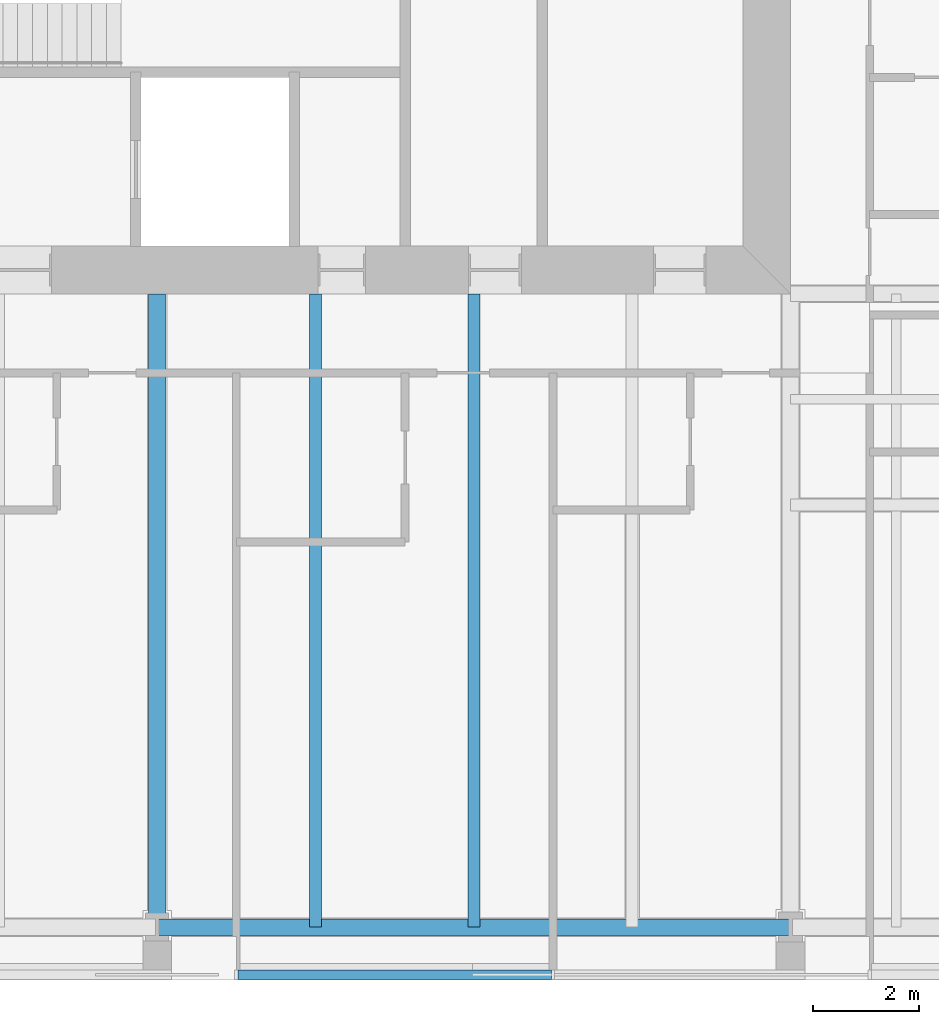
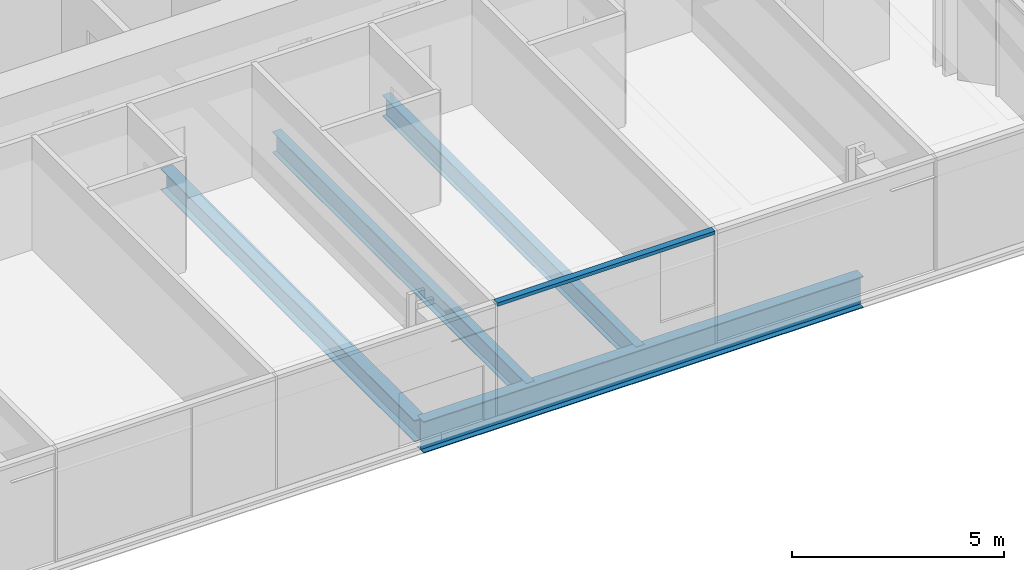
# One storey, part 3 of 20: 4 beams, 1 member, 1 element without a shape of its own.
"""IFC4 building model written with IfcOpenShell, lengths in metres."""

from ifc_helpers import new_model, si_unit, direction, frame, origin, origin_2d, place, context, subcontext, project, spatial, rectangle, i_section, extrude, material, material_profile, profile_set, type_object, element, aggregate, save


model = new_model("IFC4")

# Units and contexts
model_context = context("Model", 3, precision=1e-05, world=origin(), true_north=direction((0.0, 1.0)))
body_context = subcontext(model_context, "Body", "Model", "MODEL_VIEW")
ifc_project = project(units=[si_unit("LENGTHUNIT", "METRE"), si_unit("AREAUNIT", "SQUARE_METRE"), si_unit("VOLUMEUNIT", "CUBIC_METRE"), si_unit("PLANEANGLEUNIT", "RADIAN"), si_unit("MASSUNIT", "GRAM", prefix="KILO")], contexts=[model_context])

# Site, building, storey
site_placement = place(None, origin())
site = spatial("IfcSite", under=ifc_project, at=site_placement, CompositionType="ELEMENT")
building_placement = place(site_placement, origin())
building = spatial("IfcBuilding", under=site, at=building_placement, Name="Fenwick Lantern Interchange", CompositionType="ELEMENT")
storey_placement = place(building_placement, frame((0.0, 0.0, 249.199951171875)))
storey = spatial("IfcBuildingStorey", under=building, at=storey_placement, Name="L58", CompositionType="ELEMENT", Elevation=249.199951171875)

# Beams
ifc_material_1 = material(Name="Steel ASTM A992 Grade 50", Category="steel")
ifc_material_profile_1 = material_profile(ifc_material_1, i_section(OverallWidth=0.3046875, OverallDepth=0.911865234375, WebThickness=0.015869140625, FlangeThickness=0.02392578125, at=origin_2d()), Name="W36X150")
ifc_profile_set_1 = profile_set([ifc_material_profile_1], Name="Steel ASTM A992 Grade 50")
beam_type_1 = type_object("IfcBeamType", Name="EDGE BEAM W36X150", PredefinedType="SPANDREL", material=ifc_profile_set_1)
beam_1_placement = place(storey_placement, frame((25.0, 1.0, -0.60595703125), z_axis=(1.0, 0.0, 0.0), x_axis=(0.0, 1.0, 0.0)))
element("IfcBeam", 1, at=beam_1_placement, inside=storey, type_object=beam_type_1, Name="L58/FR/S/EB3", PredefinedType="SPANDREL", context=body_context, shape_type="SweptSolid", body=[
    extrude(i_section(OverallWidth=0.3046875, OverallDepth=0.911865234375, WebThickness=0.015869140625, FlangeThickness=0.02392578125, at=origin_2d()), origin(), (0.0, 0.0, 1.0), 12.0),
])
ifc_material_profile_2 = material_profile(ifc_material_1, i_section(OverallWidth=0.22900390625, OverallDepth=0.612060546875, WebThickness=0.011962890625, FlangeThickness=0.01953125, at=origin_2d()), Name="W24X84")
ifc_profile_set_2 = profile_set([ifc_material_profile_2], Name="Steel ASTM A992 Grade 50")
beam_type_2 = type_object("IfcBeamType", Name="FLOOR BEAM W24X84", PredefinedType="BEAM", material=ifc_profile_set_2)
for number, where, z_axis, x_axis, name in (
    (2, (28.0, 1.0, -0.4560546875), (0.0, 1.0, 0.0), (-1.0, 0.0, 0.0), "L58/FR/S/R06"),
    (3, (31.0, 1.0, -0.4560546875), (0.0, 1.0, 0.0), (-1.0, 0.0, 0.0), "L58/FR/S/R07"),
):
    element("IfcBeam", number, at=place(storey_placement, frame(where, z_axis=z_axis, x_axis=x_axis)), inside=storey, type_object=beam_type_2, Name=name, PredefinedType="BEAM", context=body_context, shape_type="SweptSolid", body=[
        extrude(i_section(OverallWidth=0.22900390625, OverallDepth=0.612060546875, WebThickness=0.011962890625, FlangeThickness=0.01953125, at=origin_2d()), origin(), (0.0, 0.0, 1.0), 12.0),
    ])

# Curtain wall, member
ifc_material_2 = material(Name="Aluminium curtain wall frame", Category="aluminium")
curtain_wall_type = type_object("IfcCurtainWallType", Name="HOTEL CURTAIN WALL", PredefinedType="USERDEFINED", material=ifc_material_2)
curtain_wall_placement = place(storey_placement, origin())
curtain_wall = element("IfcCurtainWall", 4, at=curtain_wall_placement, inside=storey, type_object=curtain_wall_type, Name="Hotel curtain wall 01", ObjectType="HOTEL CURTAIN WALL", PredefinedType="USERDEFINED")
ifc_material_3 = material(Name="Aluminium extrusion", Category="aluminium")
ifc_material_profile_3 = material_profile(ifc_material_3, rectangle(XDim=0.179931640625, YDim=0.10009765625, at=origin_2d()), Name="HOTEL CURTAIN WALL TRANSOM 100 X 180")
ifc_profile_set_3 = profile_set([ifc_material_profile_3], Name="Aluminium extrusion")
member_type = type_object("IfcMemberType", Name="HOTEL CURTAIN WALL TRANSOM 100 X 180", PredefinedType="MULLION", material=ifc_profile_set_3)
member_placement = place(storey_placement, frame((26.530029296875, 0.10009765625, 3.199951171875), z_axis=(1.0, 0.0, 0.0), x_axis=(0.0, 1.0, 0.0)))
member = element("IfcMember", 5, at=member_placement, type_object=member_type, Name="L58/CW/01/T04", PredefinedType="MULLION", context=body_context, shape_type="SweptSolid", body=[
    extrude(rectangle(XDim=0.179931640625, YDim=0.10009765625, at=origin_2d()), origin(), (0.0, 0.0, 1.0), 5.93994140625),
])
aggregate(curtain_wall, [member])

# Beam
ifc_material_profile_4 = material_profile(ifc_material_1, i_section(OverallWidth=0.32763671875, OverallDepth=0.622314453125, WebThickness=0.015380859375, FlangeThickness=0.0244140625, at=origin_2d()), Name="W24X131")
ifc_profile_set_4 = profile_set([ifc_material_profile_4], Name="Steel ASTM A992 Grade 50")
beam_type_3 = type_object("IfcBeamType", Name="MOMENT-CONNECTED GIRDER W24X131", PredefinedType="BEAM", material=ifc_profile_set_4)
beam_2_placement = place(storey_placement, frame((25.0, 1.0, -0.461181640625), z_axis=(0.0, 1.0, 0.0), x_axis=(-1.0, 0.0, 0.0)))
element("IfcBeam", 6, at=beam_2_placement, inside=storey, type_object=beam_type_3, Name="L58/FR/S/R05", PredefinedType="BEAM", context=body_context, shape_type="SweptSolid", body=[
    extrude(i_section(OverallWidth=0.32763671875, OverallDepth=0.622314453125, WebThickness=0.015380859375, FlangeThickness=0.0244140625, at=origin_2d()), origin(), (0.0, 0.0, 1.0), 12.0),
])

save(model, "model.ifc")
